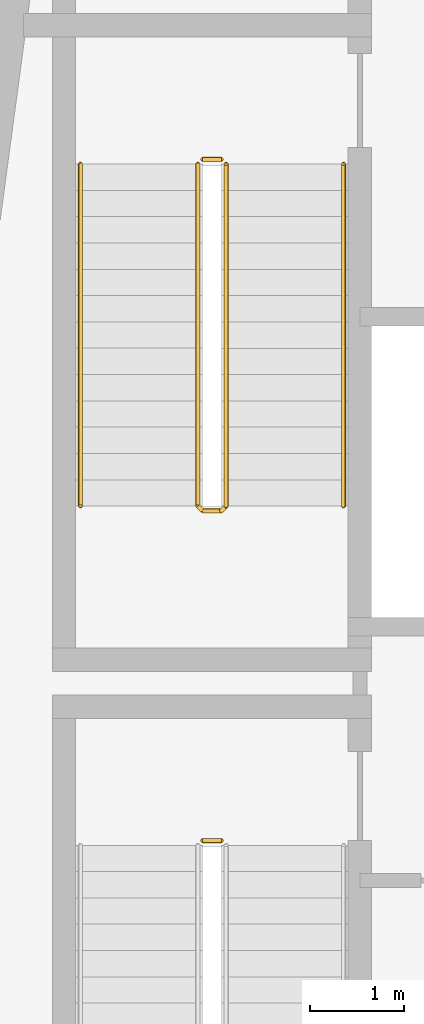
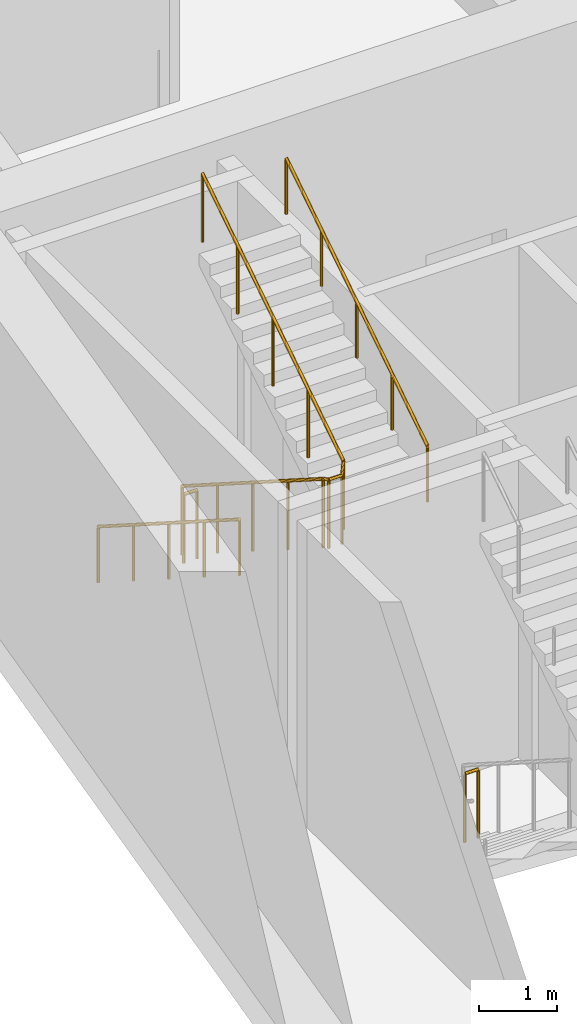
# One storey, part 9 of 11: 5 railings.
"""IFC4 building model written with IfcOpenShell, lengths in metres."""

from ifc_helpers import new_model, si_unit, direction, frame, origin, origin_2d, place, context, subcontext, project, spatial, circle, extrude, material, type_object, element, save


model = new_model("IFC4")

# Units and contexts
model_context = context("Model", 3, precision=1e-05, world=origin(), true_north=direction((0.0, 1.0)))
body_context = subcontext(model_context, "Body", "Model", "MODEL_VIEW")
ifc_project = project(units=[si_unit("LENGTHUNIT", "METRE"), si_unit("AREAUNIT", "SQUARE_METRE"), si_unit("VOLUMEUNIT", "CUBIC_METRE"), si_unit("PLANEANGLEUNIT", "RADIAN"), si_unit("MASSUNIT", "GRAM", prefix="KILO")], contexts=[model_context])

# Site, building, storey
site_placement = place(None, origin())
site = spatial("IfcSite", under=ifc_project, at=site_placement, CompositionType="ELEMENT")
building_placement = place(site_placement, origin())
building = spatial("IfcBuilding", under=site, at=building_placement, Name="Candeia Pilgrim Tower and Theatre", CompositionType="ELEMENT")
storey_placement = place(building_placement, frame((0.0, 0.0, 254.0)))
storey = spatial("IfcBuildingStorey", under=building, at=storey_placement, Name="L61", CompositionType="ELEMENT", Elevation=254.0)

# Railings
ifc_material_1 = material(Name="Stainless steel balustrade", Category="steel")
railing_type_1 = type_object("IfcRailingType", Name="RL-GUARD-1100", PredefinedType="GUARDRAIL", material=ifc_material_1)
railing_1_placement = place(storey_placement, frame((91.152099609375, 122.52490234375, 0.0)))
element("IfcRailing", 1, at=railing_1_placement, inside=storey, type_object=railing_type_1, Name="L61 ST1 stair guard 2", PredefinedType="GUARDRAIL", context=body_context, shape_type="SweptSolid", body=[
    extrude(circle(Radius=0.02392578125, at=origin_2d()), frame((0.0, 0.0, 1.076171875), z_axis=(1.0, 0.0, 0.0), x_axis=(0.0, 1.0, 0.0)), (0.0, 0.0, 1.0), 0.199951171875),
    extrude(circle(Radius=0.02099609375, at=origin_2d()), origin(), (0.0, 0.0, 1.0), 1.052001953125),
    extrude(circle(Radius=0.02099609375, at=origin_2d()), frame((0.199951171875, 0.0, 0.0)), (0.0, 0.0, 1.0), 1.052001953125),
])
railing_2_placement = place(storey_placement, frame((91.10205078125, 129.72509765625, 0.178466796875)))
element("IfcRailing", 2, at=railing_2_placement, inside=storey, type_object=railing_type_1, Name="L61 ST2 stair guard 1", PredefinedType="GUARDRAIL", context=body_context, shape_type="SweptSolid", body=[
    extrude(circle(Radius=0.02392578125, at=origin_2d()), frame((0.0, 0.0, 1.076171875), z_axis=(0.0, -0.843127859045, 0.537713132908), x_axis=(1.0, 0.0, 0.0)), (0.0, 0.0, 1.0), 4.3173828125),
    extrude(circle(Radius=0.02392578125, at=origin_2d()), frame((0.0, -3.64013671875, 3.3974609375), z_axis=(0.707106781187, -0.707106781187, 0.0), x_axis=(0.707106781187, 0.707106781187, 0.0)), (0.0, 0.0, 1.0), 0.07080078125),
    extrude(circle(Radius=0.02392578125, at=origin_2d()), frame((0.050048828125, -3.690185546875, 3.3974609375), z_axis=(1.0, 0.0, 0.0), x_axis=(0.0, 1.0, 0.0)), (0.0, 0.0, 1.0), 0.199951171875),
    extrude(circle(Radius=0.02392578125, at=origin_2d()), frame((0.25, -3.690185546875, 3.3974609375), z_axis=(0.260684529273, 0.260684529273, 0.929562882432), x_axis=(-0.707106781187, 0.707106781187, 0.0)), (0.0, 0.0, 1.0), 0.19189453125),
    extrude(circle(Radius=0.02392578125, at=origin_2d()), frame((0.300048828125, -3.64013671875, 3.576171875), z_axis=(0.0, 0.843127859045, 0.537713132908), x_axis=(-1.0, 0.0, 0.0)), (0.0, 0.0, 1.0), 4.3173828125),
    extrude(circle(Radius=0.02099609375, at=origin_2d()), origin(), (0.0, 0.0, 1.0), 1.052001953125),
    extrude(circle(Radius=0.02099609375, at=origin_2d()), frame((0.0, -0.91015625, 0.580322265625)), (0.0, 0.0, 1.0), 1.052001953125),
    extrude(circle(Radius=0.02099609375, at=origin_2d()), frame((0.0, -1.820068359375, 1.16064453125)), (0.0, 0.0, 1.0), 1.052001953125),
    extrude(circle(Radius=0.02099609375, at=origin_2d()), frame((0.0, -2.72998046875, 1.7412109375)), (0.0, 0.0, 1.0), 1.052001953125),
    extrude(circle(Radius=0.02099609375, at=origin_2d()), frame((0.0, -3.64013671875, 2.321533203125)), (0.0, 0.0, 1.0), 1.052001953125),
    extrude(circle(Radius=0.02099609375, at=origin_2d()), frame((0.050048828125, -3.690185546875, 2.321533203125)), (0.0, 0.0, 1.0), 1.052001953125),
    extrude(circle(Radius=0.02099609375, at=origin_2d()), frame((0.25, -3.690185546875, 2.321533203125)), (0.0, 0.0, 1.0), 1.052001953125),
    extrude(circle(Radius=0.02099609375, at=origin_2d()), frame((0.300048828125, -3.64013671875, 2.5)), (0.0, 0.0, 1.0), 1.052001953125),
    extrude(circle(Radius=0.02099609375, at=origin_2d()), frame((0.300048828125, -2.72998046875, 3.080322265625)), (0.0, 0.0, 1.0), 1.052001953125),
    extrude(circle(Radius=0.02099609375, at=origin_2d()), frame((0.300048828125, -1.820068359375, 3.66064453125)), (0.0, 0.0, 1.0), 1.052001953125),
    extrude(circle(Radius=0.02099609375, at=origin_2d()), frame((0.300048828125, -0.91015625, 4.2412109375)), (0.0, 0.0, 1.0), 1.052001953125),
    extrude(circle(Radius=0.02099609375, at=origin_2d()), frame((0.300048828125, 0.0, 4.821533203125)), (0.0, 0.0, 1.0), 1.052001953125),
])
railing_3_placement = place(storey_placement, frame((91.152099609375, 129.77490234375, 0.0)))
element("IfcRailing", 3, at=railing_3_placement, inside=storey, type_object=railing_type_1, Name="L61 ST2 stair guard 2", PredefinedType="GUARDRAIL", context=body_context, shape_type="SweptSolid", body=[
    extrude(circle(Radius=0.02392578125, at=origin_2d()), frame((0.0, 0.0, 1.076171875), z_axis=(1.0, 0.0, 0.0), x_axis=(0.0, 1.0, 0.0)), (0.0, 0.0, 1.0), 0.199951171875),
    extrude(circle(Radius=0.02099609375, at=origin_2d()), origin(), (0.0, 0.0, 1.0), 1.052001953125),
    extrude(circle(Radius=0.02099609375, at=origin_2d()), frame((0.199951171875, 0.0, 0.0)), (0.0, 0.0, 1.0), 1.052001953125),
])
ifc_material_2 = material(Name="Stainless steel handrail", Category="steel")
railing_type_2 = type_object("IfcRailingType", Name="RL-HANDRAIL-900", PredefinedType="HANDRAIL", material=ifc_material_2)
railing_4_placement = place(storey_placement, frame((89.85205078125, 129.72509765625, 0.178466796875)))
element("IfcRailing", 4, at=railing_4_placement, inside=storey, type_object=railing_type_2, Name="L61 ST2 stair handrail 1", PredefinedType="HANDRAIL", context=body_context, shape_type="SweptSolid", body=[
    extrude(circle(Radius=0.02392578125, at=origin_2d()), frame((0.0, 0.0, 0.8759765625), z_axis=(0.0, -0.843127859045, 0.537713132908), x_axis=(1.0, 0.0, 0.0)), (0.0, 0.0, 1.0), 4.3173828125),
    extrude(circle(Radius=0.02099609375, at=origin_2d()), origin(), (0.0, 0.0, 1.0), 0.851806640625),
    extrude(circle(Radius=0.02099609375, at=origin_2d()), frame((0.0, -0.91015625, 0.580322265625)), (0.0, 0.0, 1.0), 0.851806640625),
    extrude(circle(Radius=0.02099609375, at=origin_2d()), frame((0.0, -1.820068359375, 1.16064453125)), (0.0, 0.0, 1.0), 0.851806640625),
    extrude(circle(Radius=0.02099609375, at=origin_2d()), frame((0.0, -2.72998046875, 1.7412109375)), (0.0, 0.0, 1.0), 0.851806640625),
    extrude(circle(Radius=0.02099609375, at=origin_2d()), frame((0.0, -3.64013671875, 2.321533203125)), (0.0, 0.0, 1.0), 0.851806640625),
])
railing_5_placement = place(storey_placement, frame((92.652099609375, 126.0849609375, 2.678466796875)))
element("IfcRailing", 5, at=railing_5_placement, inside=storey, type_object=railing_type_2, Name="L61 ST2 stair handrail 2", PredefinedType="HANDRAIL", context=body_context, shape_type="SweptSolid", body=[
    extrude(circle(Radius=0.02392578125, at=origin_2d()), frame((0.0, 0.0, 0.8759765625), z_axis=(0.0, 0.843127859045, 0.537713132908), x_axis=(-1.0, 0.0, 0.0)), (0.0, 0.0, 1.0), 4.3173828125),
    extrude(circle(Radius=0.02099609375, at=origin_2d()), origin(), (0.0, 0.0, 1.0), 0.851806640625),
    extrude(circle(Radius=0.02099609375, at=origin_2d()), frame((0.0, 0.91015625, 0.580322265625)), (0.0, 0.0, 1.0), 0.851806640625),
    extrude(circle(Radius=0.02099609375, at=origin_2d()), frame((0.0, 1.820068359375, 1.16064453125)), (0.0, 0.0, 1.0), 0.851806640625),
    extrude(circle(Radius=0.02099609375, at=origin_2d()), frame((0.0, 2.72998046875, 1.7412109375)), (0.0, 0.0, 1.0), 0.851806640625),
    extrude(circle(Radius=0.02099609375, at=origin_2d()), frame((0.0, 3.64013671875, 2.321533203125)), (0.0, 0.0, 1.0), 0.851806640625),
])

save(model, "model.ifc")
